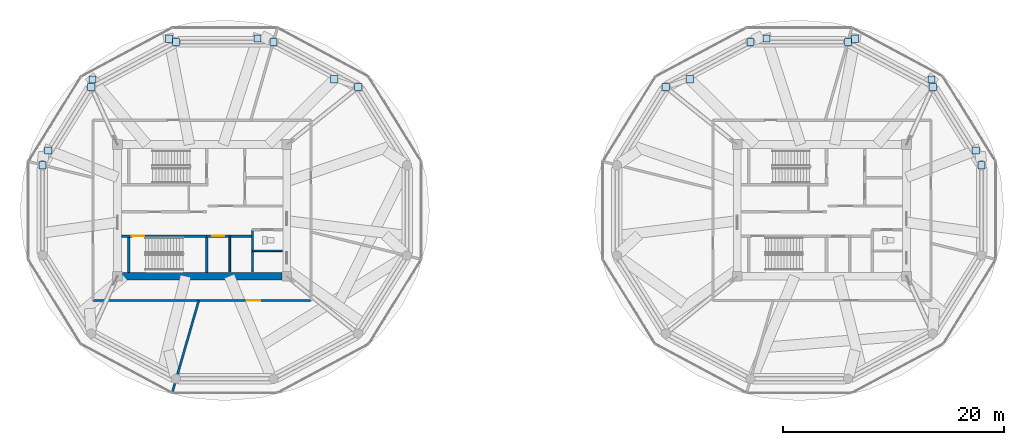
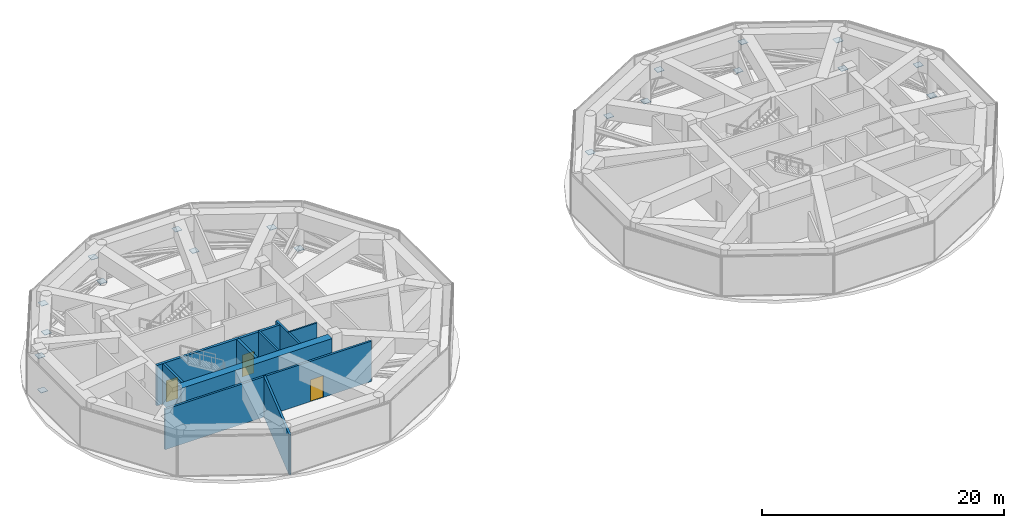
# One storey, part 16 of 23: 20 plates, 10 walls, 3 doors, 3 openings.
"""IFC4 building model written with IfcOpenShell, lengths in metres."""

import ifcopenshell
import ifcopenshell.guid

model = None  # the IFC model being written
_history = None  # IfcOwnerHistory: only IFC2X3 demands one
_inside = {}  # id of a spatial element -> (the spatial element, [elements in it])
_under = {}  # id of a project, library or spatial element -> (it, [spatial elements below it])
_declared = {}  # id of a project -> (the project, [libraries it declares])
_typed = {}  # id of a type object -> (the type object, [elements of that type])
_made_of = {}  # id of a material, layer set ... -> (it, [elements and type objects made of it])


def new_model(schema):
    """Start an empty IFC model of exactly this schema.

    Asked for "IFC4X3", IfcOpenShell would pick the latest addendum, in which some entities
    have other attributes; the version numbers below select the first issue.
    IFC2X3 requires an IfcOwnerHistory on every rooted entity: one is made here for all.
    """
    global model, _history
    if schema == "IFC4X3":
        model = ifcopenshell.file(schema_version=(4, 3, 0, 0))
    else:
        model = ifcopenshell.file(schema=schema)
    _inside.clear()
    _under.clear()
    _declared.clear()
    _typed.clear()
    _made_of.clear()
    _history = None
    if model.schema == "IFC2X3":
        org = make("IfcOrganization", Name="unknown")
        user = make(
            "IfcPersonAndOrganization",
            ThePerson=make("IfcPerson", FamilyName="unknown"),
            TheOrganization=org,
        )
        app = make(
            "IfcApplication",
            ApplicationDeveloper=org,
            Version="unknown",
            ApplicationFullName="unknown",
            ApplicationIdentifier="unknown",
        )
        _history = make(
            "IfcOwnerHistory",
            OwningUser=user,
            OwningApplication=app,
            ChangeAction="ADDED",
            CreationDate=0,
        )
    return model


def make(cls, **values):
    """One entity of the class cls with the attributes given. An attribute that is None is left unset."""
    return model.create_entity(
        cls, **{name: value for name, value in values.items() if value is not None}
    )


def rooted(cls, **values):
    """An entity with a GlobalId (a new one), such as an element, a storey or a relation."""
    return make(cls, GlobalId=ifcopenshell.guid.new(), OwnerHistory=_history, **values)


def si_unit(unit_type, name, prefix=None):
    """IfcSIUnit, for example si_unit("LENGTHUNIT", "METRE", prefix="MILLI")."""
    return make("IfcSIUnit", UnitType=unit_type, Prefix=prefix, Name=name)


def assignment(units):
    """IfcUnitAssignment: the units of a project."""
    return None if units is None else make("IfcUnitAssignment", Units=units)


def point(xyz):
    """IfcCartesianPoint."""
    return None if xyz is None else make("IfcCartesianPoint", Coordinates=xyz)


def direction(xyz):
    """IfcDirection."""
    return None if xyz is None else make("IfcDirection", DirectionRatios=xyz)


def frame(location, z_axis=None, x_axis=None):
    """IfcAxis2Placement3D, a coordinate frame: its origin and axes. An axis left out is left unset."""
    return make(
        "IfcAxis2Placement3D",
        Location=point(location),
        Axis=direction(z_axis),
        RefDirection=direction(x_axis),
    )


def frame_2d(location, x_axis=None):
    """IfcAxis2Placement2D, a coordinate frame in the plane: its origin and x axis."""
    return make(
        "IfcAxis2Placement2D", Location=point(location), RefDirection=direction(x_axis)
    )


def origin():
    """The frame at (0, 0, 0) with its axes left unset."""
    return frame((0.0, 0.0, 0.0))


def origin_2d():
    """The frame at (0, 0) in the plane with its x axis left unset."""
    return frame_2d((0.0, 0.0))


def place(relative_to, where):
    """IfcLocalPlacement: puts the frame where relative to a parent placement (None: the world)."""
    return make(
        "IfcLocalPlacement", PlacementRelTo=relative_to, RelativePlacement=where
    )


def context(
    kind, dimensions, precision=None, world=None, true_north=None, identifier=None
):
    """IfcGeometricRepresentationContext, for example the 3D "Model" context."""
    return make(
        "IfcGeometricRepresentationContext",
        ContextIdentifier=identifier,
        ContextType=kind,
        CoordinateSpaceDimension=dimensions,
        Precision=precision,
        WorldCoordinateSystem=world,
        TrueNorth=true_north,
    )


def subcontext(parent, identifier, kind, view, scale=None):
    """IfcGeometricRepresentationSubContext, for example "Body" below "Model"."""
    return make(
        "IfcGeometricRepresentationSubContext",
        ContextIdentifier=identifier,
        ContextType=kind,
        ParentContext=parent,
        TargetScale=scale,
        TargetView=view,
    )


def project(units=None, contexts=None):
    """IfcProject with its units and contexts."""
    return rooted(
        "IfcProject",
        Name="project",
        RepresentationContexts=contexts,
        UnitsInContext=assignment(units),
    )


def spatial(cls, under=None, at=None, **own):
    """A site, building, storey or space (cls), placed at a placement, below another one or the project."""
    s = rooted(cls, ObjectPlacement=at, **own)
    if under is not None:
        _under.setdefault(under.id(), (under, []))[1].append(s)
    return s


def profile(cls, at=None, kind="AREA", **sizes):
    """A parametric profile (cls). Its sizes go by their IFC names, for example OverallWidth=200.0."""
    return make(cls, ProfileType=kind, Position=at, **sizes)


def rectangle(**sizes):
    """IfcRectangleProfileDef."""
    return profile("IfcRectangleProfileDef", **sizes)


def extrude(swept, where, along, depth):
    """IfcExtrudedAreaSolid: the profile swept, set in the frame where, extruded along a direction by depth."""
    return make(
        "IfcExtrudedAreaSolid",
        SweptArea=swept,
        Position=where,
        ExtrudedDirection=direction(along),
        Depth=depth,
    )


def shape(context_of_items, identifier, shape_type, items):
    """IfcShapeRepresentation: the items that make up one representation, for example the "Body"."""
    return make(
        "IfcShapeRepresentation",
        ContextOfItems=context_of_items,
        RepresentationIdentifier=identifier,
        RepresentationType=shape_type,
        Items=items,
    )


def source(mapping_origin, context_of_items, identifier, shape_type, items):
    """IfcRepresentationMap: a shape defined once, which mapped items show again and again."""
    return make(
        "IfcRepresentationMap",
        MappingOrigin=mapping_origin,
        MappedRepresentation=shape(context_of_items, identifier, shape_type, items),
    )


def transform(
    local_origin,
    x_axis=None,
    y_axis=None,
    z_axis=None,
    scale=None,
    scale2=None,
    scale3=None,
    uniform=True,
):
    """IfcCartesianTransformationOperator3D, or its non-uniform kind. x_axis, y_axis, z_axis: its Axis1, 2, 3."""
    if uniform:
        return make(
            "IfcCartesianTransformationOperator3D",
            Axis1=direction(x_axis),
            Axis2=direction(y_axis),
            LocalOrigin=point(local_origin),
            Scale=scale,
            Axis3=direction(z_axis),
        )
    return make(
        "IfcCartesianTransformationOperator3DnonUniform",
        Axis1=direction(x_axis),
        Axis2=direction(y_axis),
        LocalOrigin=point(local_origin),
        Scale=scale,
        Axis3=direction(z_axis),
        Scale2=scale2,
        Scale3=scale3,
    )


def mapped(mapping_source, mapping_target):
    """IfcMappedItem: shows the shape of a source again, moved by a transform."""
    return make(
        "IfcMappedItem", MappingSource=mapping_source, MappingTarget=mapping_target
    )


def material(Name=None, Category=None):
    """IfcMaterial."""
    return make("IfcMaterial", Name=Name, Category=Category)


def layer(
    of_material, thickness, ventilated=None, Name=None, Category=None, Priority=None
):
    """IfcMaterialLayer: one layer of a wall or slab, of a material (None: an air gap)."""
    return make(
        "IfcMaterialLayer",
        Material=of_material,
        LayerThickness=thickness,
        IsVentilated=ventilated,
        Name=Name,
        Category=Category,
        Priority=Priority,
    )


def layer_set(layers, Name=None):
    """IfcMaterialLayerSet."""
    return make("IfcMaterialLayerSet", MaterialLayers=layers, LayerSetName=Name)


def made_of(thing, what):
    """Note that an element or type object is made of a material, layer set ...; save() writes the relation."""
    if what is not None:
        _made_of.setdefault(what.id(), (what, []))[1].append(thing)
    return thing


def type_object(cls, material=None, **own):
    """A type object (cls), such as IfcWallType, which elements share."""
    return made_of(rooted(cls, **own), material)


def type_shapes(of_type, sources):
    """Give a type object the sources (RepresentationMaps) that its elements show as mapped items."""
    of_type.RepresentationMaps = sources


def element(
    cls,
    number,
    at=None,
    inside=None,
    cuts=None,
    type_object=None,
    material=None,
    context=None,
    identifier="Body",
    shape_type=None,
    held_by="IfcProductDefinitionShape",
    body=None,
    shapes=None,
    **own,
):
    """One element of the class cls, such as IfcWall. Its Tag is "e" and its number.

    at: its placement. inside: the storey or other place that contains it. cuts: it is an
    opening in that element (IfcRelVoidsElement). A single representation is given by context,
    identifier, shape_type and body (its items); several are given by shapes. held_by: the class
    of the entity that holds the representations. save() writes the other relations.
    """
    e = rooted(cls, Tag="e%d" % number, ObjectPlacement=at, **own)
    if body is not None:
        shapes = [shape(context, identifier, shape_type, body)]
    if shapes is not None:
        e.Representation = make(held_by, Representations=shapes)
    if inside is not None:
        _inside.setdefault(inside.id(), (inside, []))[1].append(e)
    if cuts is not None:
        rooted(
            "IfcRelVoidsElement", RelatingBuildingElement=cuts, RelatedOpeningElement=e
        )
    if type_object is not None:
        _typed.setdefault(type_object.id(), (type_object, []))[1].append(e)
    return made_of(e, material)


def fill(opening, filler):
    """IfcRelFillsElement: the door or window that sits in an opening."""
    return rooted(
        "IfcRelFillsElement",
        RelatingOpeningElement=opening,
        RelatedBuildingElement=filler,
    )


def aggregate(whole, parts):
    """IfcRelAggregates: a whole, such as a stair, and the parts it consists of."""
    return rooted("IfcRelAggregates", RelatingObject=whole, RelatedObjects=parts)


def save(model, path):
    """Write the relations noted so far, then the file.

    IfcRelAggregates (storeys below a building ...), IfcRelContainedInSpatialStructure (elements
    in a storey), IfcRelDefinesByType, IfcRelAssociatesMaterial and IfcRelDeclares: one each for
    every whole, place, type object, material and project.
    """
    for whole, parts in _under.values():
        aggregate(whole, parts)
    for where, things in _inside.values():
        rooted(
            "IfcRelContainedInSpatialStructure",
            RelatedElements=things,
            RelatingStructure=where,
        )
    for kind, things in _typed.values():
        rooted("IfcRelDefinesByType", RelatedObjects=things, RelatingType=kind)
    for what, things in _made_of.values():
        rooted("IfcRelAssociatesMaterial", RelatedObjects=things, RelatingMaterial=what)
    for by, libraries in _declared.values():
        rooted("IfcRelDeclares", RelatingContext=by, RelatedDefinitions=libraries)
    model.write(path)


model = new_model("IFC4")

# Units and contexts
model_context = context("Model", 3, precision=1e-05, world=origin(), true_north=direction((0.0, 1.0)))
body_context = subcontext(model_context, "Body", "Model", "MODEL_VIEW")
ifc_project = project(units=[si_unit("LENGTHUNIT", "METRE"), si_unit("AREAUNIT", "SQUARE_METRE"), si_unit("VOLUMEUNIT", "CUBIC_METRE"), si_unit("PLANEANGLEUNIT", "RADIAN"), si_unit("MASSUNIT", "GRAM", prefix="KILO")], contexts=[model_context])

# Site, building, storey
site_placement = place(None, origin())
site = spatial("IfcSite", under=ifc_project, at=site_placement, CompositionType="ELEMENT")
building_placement = place(site_placement, origin())
building = spatial("IfcBuilding", under=site, at=building_placement, Name="Norrkilde Senior Care Towers", CompositionType="ELEMENT")
storey_placement = place(building_placement, frame((0.0, 0.0, 129.800048828125)))
storey = spatial("IfcBuildingStorey", under=building, at=storey_placement, Name="L40", CompositionType="ELEMENT", Elevation=129.800048828125)

# Plates
ifc_material_1 = material(Name="Steel S355", Category="steel")
ifc_layer_1 = layer(ifc_material_1, 0.034912109375)
ifc_layer_set_1 = layer_set([ifc_layer_1], Name="Steel S355")
plate_type = type_object("IfcPlateType", Name="Truss Node Gusset Plate 35", PredefinedType="USERDEFINED", material=ifc_layer_set_1)
shared_shape_1 = source(origin(), body_context, "Body", "SweptSolid", [
    extrude(rectangle(XDim=0.64990234375, YDim=0.64990234375, at=origin_2d()), origin(), (0.0, 0.0, 1.0), 0.034912109375),
])
type_shapes(plate_type, [shared_shape_1])
for number, where, z_axis, x_axis, name in (
    (1, (-13.893798828125, 11.136962890625, 0.13232421875), (0.0, 0.0, 1.0), (1.0, 0.0, 0.0), "L40 Drum W Zone Strut 02 Lower Gusset Plate"),
    (2, (-16.064453125, 11.83984375, 2.6123046875), (0.0, 0.0, 1.0), (1.0, 0.0, 0.0), "L40 Drum W Zone Strut 02 Upper Gusset Plate"),
    (3, (-21.537109375, 15.21337890625, 0.13232421875), (0.0, 0.0, 1.0), (1.0, 0.0, 0.0), "L40 Drum W Zone Strut 03 Lower Gusset Plate"),
    (4, (-23.00146484375, 15.5263671875, 2.6123046875), (0.0, 0.0, 1.0), (1.0, 0.0, 0.0), "L40 Drum W Zone Strut 03 Upper Gusset Plate"),
    (5, (-30.36279296875, 15.21337890625, 0.13232421875), (0.0, 0.0, 1.0), (1.0, 0.0, 0.0), "L40 Drum W Zone Strut 04 Lower Gusset Plate"),
    (6, (-30.99755859375, 15.513671875, 2.6123046875), (0.0, 0.0, 1.0), (1.0, 0.0, 0.0), "L40 Drum W Zone Strut 04 Upper Gusset Plate"),
    (7, (-38.006103515625, 11.136962890625, 0.13232421875), (0.0, 0.0, 1.0), (1.0, 0.0, 0.0), "L40 Drum W Zone Strut 05 Lower Gusset Plate"),
    (8, (-37.91259765625, 11.812744140625, 2.6123046875), (0.0, 0.0, 1.0), (1.0, 0.0, 0.0), "L40 Drum W Zone Strut 05 Upper Gusset Plate"),
    (9, (-42.4189453125, 4.076416015625, 0.13232421875), (0.0, 0.0, 1.0), (1.0, 0.0, 0.0), "L40 Drum W Zone Strut 06 Lower Gusset Plate"),
    (10, (-41.8935546875, 5.41455078125, 2.6123046875), (0.0, 0.0, 1.0), (1.0, 0.0, 0.0), "L40 Drum W Zone Strut 06 Upper Gusset Plate"),
    (11, (42.4189453125, 4.076416015625, 0.13232421875), (0.0, 0.0, 1.0), (1.0, 0.0, 0.0), "L40 Drum E Zone Strut 01 Lower Gusset Plate"),
    (12, (41.8935546875, 5.41455078125, 2.6123046875), (0.0, 0.0, 1.0), (1.0, 0.0, 0.0), "L40 Drum E Zone Strut 01 Upper Gusset Plate"),
    (13, (38.006103515625, 11.136962890625, 0.13232421875), (0.0, 0.0, 1.0), (1.0, 0.0, 0.0), "L40 Drum E Zone Strut 02 Lower Gusset Plate"),
    (14, (37.91259765625, 11.812744140625, 2.6123046875), (0.0, 0.0, 1.0), (1.0, 0.0, 0.0), "L40 Drum E Zone Strut 02 Upper Gusset Plate"),
    (15, (30.36279296875, 15.21337890625, 0.13232421875), (0.0, 0.0, 1.0), (1.0, 0.0, 0.0), "L40 Drum E Zone Strut 03 Lower Gusset Plate"),
    (16, (30.99755859375, 15.513671875, 2.6123046875), (0.0, 0.0, 1.0), (1.0, 0.0, 0.0), "L40 Drum E Zone Strut 03 Upper Gusset Plate"),
    (17, (21.537109375, 15.21337890625, 0.13232421875), (0.0, 0.0, 1.0), (1.0, 0.0, 0.0), "L40 Drum E Zone Strut 04 Lower Gusset Plate"),
    (18, (23.00146484375, 15.5263671875, 2.6123046875), (0.0, 0.0, 1.0), (1.0, 0.0, 0.0), "L40 Drum E Zone Strut 04 Upper Gusset Plate"),
    (19, (13.893798828125, 11.136962890625, 0.13232421875), (0.0, 0.0, 1.0), (1.0, 0.0, 0.0), "L40 Drum E Zone Strut 05 Lower Gusset Plate"),
    (20, (16.064453125, 11.83984375, 2.6123046875), (0.0, 0.0, 1.0), (1.0, 0.0, 0.0), "L40 Drum E Zone Strut 05 Upper Gusset Plate"),
):
    element("IfcPlate", number, at=place(storey_placement, frame(where, z_axis=z_axis, x_axis=x_axis)), inside=storey, type_object=plate_type, Name=name, ObjectType="GUSSET_PLATE", PredefinedType="USERDEFINED", context=body_context, shape_type="MappedRepresentation", body=[
        mapped(shared_shape_1, transform((0.0, 0.0, 0.0), x_axis=(1.0, 0.0, 0.0), y_axis=(0.0, 1.0, 0.0), z_axis=(0.0, 0.0, 1.0), scale=1.0)),
    ])

# Walls
ifc_material_2 = material(Name="Concrete C60/75", Category="concrete")
ifc_layer_2 = layer(ifc_material_2, 0.719970703125)
ifc_layer_set_2 = layer_set([ifc_layer_2], Name="Concrete C60/75")
wall_type_1 = type_object("IfcWallType", Name="Core Shear Wall Z2 720", PredefinedType="SHEAR", material=ifc_layer_set_2)
shared_shape_2 = source(origin(), body_context, "Body", "SweptSolid", [
    extrude(rectangle(XDim=14.39990234375, YDim=0.719970703125, at=frame_2d((7.199951171875, 0.0))), origin(), (0.0, 0.0, 1.0), 4.079833984375),
])
type_shapes(wall_type_1, [shared_shape_2])
wall_1_placement = place(storey_placement, frame((-20.800048828125, -5.949951171875, 0.0), z_axis=(0.0, 0.0, 1.0), x_axis=(-1.0, 0.0, 0.0)))
element("IfcWall", 21, at=wall_1_placement, inside=storey, type_object=wall_type_1, Name="L40 Core W South Shear Wall", PredefinedType="SHEAR", context=body_context, shape_type="MappedRepresentation", body=[
    mapped(shared_shape_2, transform((0.0, 0.0, 0.0), x_axis=(1.0, 0.0, 0.0), y_axis=(0.0, 1.0, 0.0), z_axis=(0.0, 0.0, 1.0), scale=1.0)),
])
ifc_material_3 = material(Name="Concrete C45/55", Category="concrete")
ifc_layer_3 = layer(ifc_material_3, 0.199951171875)
ifc_layer_set_3 = layer_set([ifc_layer_3], Name="Concrete C45/55")
wall_type_2 = type_object("IfcWallType", Name="Shaft Division and Plant Partition 200", PredefinedType="PARTITIONING", material=ifc_layer_set_3)
shared_shape_3 = source(origin(), body_context, "Body", "SweptSolid", [
    extrude(rectangle(XDim=3.800048828125, YDim=0.199951171875, at=frame_2d((1.89990234375, 0.0))), origin(), (0.0, 0.0, 1.0), 4.06494140625),
])
wall_2_placement = place(storey_placement, frame((-23.449951171875, -5.550048828125, 0.0), z_axis=(0.0, 0.0, 1.0), x_axis=(0.0, 1.0, 0.0)))
element("IfcWall", 22, at=wall_2_placement, inside=storey, type_object=wall_type_2, Name="WL-INT-L40-W-PKBE", PredefinedType="PARTITIONING", context=body_context, shape_type="MappedRepresentation", body=[
    mapped(shared_shape_3, transform((0.0, 0.0, 0.0), x_axis=(1.0, 0.0, 0.0), y_axis=(0.0, 1.0, 0.0), z_axis=(0.0, 0.0, 1.0), scale=1.0)),
])

# Wall, opening, door
ifc_layer_4 = layer(ifc_material_3, 0.239990234375)
ifc_layer_set_4 = layer_set([ifc_layer_4], Name="Concrete C45/55")
wall_type_3 = type_object("IfcWallType", Name="Lift and Plant Rated Enclosure Partition 240", PredefinedType="PARTITIONING", material=ifc_layer_set_4)
shared_shape_4 = source(origin(), body_context, "Body", "SweptSolid", [
    extrude(rectangle(XDim=4.130126953125, YDim=0.239990234375, at=frame_2d((2.06494140625, 0.0))), origin(), (0.0, 0.0, 1.0), 4.06494140625),
])
type_shapes(wall_type_3, [shared_shape_4])
wall_3_placement = place(storey_placement, frame((-27.580078125, -2.330078125, 0.0), z_axis=(0.0, 0.0, 1.0), x_axis=(1.0, 0.0, 0.0)))
wall_3 = element("IfcWall", 23, at=wall_3_placement, inside=storey, type_object=wall_type_3, Name="WL-INT-L40-W-PKBN", PredefinedType="PARTITIONING", context=body_context, shape_type="MappedRepresentation", body=[
    mapped(shared_shape_4, transform((0.0, 0.0, 0.0), x_axis=(1.0, 0.0, 0.0), y_axis=(0.0, 1.0, 0.0), z_axis=(0.0, 0.0, 1.0), scale=1.0)),
])
opening_1_placement = place(wall_3_placement, frame((0.5, 0.0, 0.0)))
opening_1 = element("IfcOpeningElement", 24, at=opening_1_placement, cuts=wall_3, Name="Opening LD-01", PredefinedType="OPENING", context=body_context, shape_type="SweptSolid", body=[
    extrude(rectangle(XDim=1.10009765625, YDim=2.199951171875, at=frame_2d((0.550048828125, 1.10009765625))), frame((0.0, 0.1298828125, 0.0), z_axis=(0.0, -1.0, 0.0), x_axis=(1.0, 0.0, 0.0)), (0.0, 0.0, 1.0), 0.260009765625),
])
ifc_material_4 = material(Name="Stainless Steel", Category="steel")
door_type_1 = type_object("IfcDoorType", Name="Lift Landing Sliding Door 1100x2200", OperationType="NOTDEFINED", PredefinedType="DOOR", material=ifc_material_4)
shared_shape_5 = source(origin(), body_context, "Body", "SweptSolid", [
    extrude(rectangle(XDim=1.10009765625, YDim=2.199951171875, at=frame_2d((0.550048828125, 1.10009765625))), frame((0.0, 0.02490234375, 0.0), z_axis=(0.0, -1.0, 0.0), x_axis=(1.0, 0.0, 0.0)), (0.0, 0.0, 1.0), 0.050048828125),
])
type_shapes(door_type_1, [shared_shape_5])
door_1_placement = place(opening_1_placement, frame((1.10009765625, 0.0, 0.0), z_axis=(0.0, 0.0, 1.0), x_axis=(-1.0, 0.0, 0.0)))
door_1 = element("IfcDoor", 25, at=door_1_placement, inside=storey, type_object=door_type_1, Name="L40 Passenger Lift W3 Landing Door", OperationType="SLIDING_TO_LEFT", OverallHeight=2.199951171875, OverallWidth=1.10009765625, PredefinedType="DOOR", context=body_context, shape_type="MappedRepresentation", body=[
    mapped(shared_shape_5, transform((0.0, 0.0, 0.0), x_axis=(1.0, 0.0, 0.0), y_axis=(0.0, 1.0, 0.0), z_axis=(0.0, 0.0, 1.0), scale=1.0)),
])
fill(opening_1, door_1)

# Walls
ifc_layer_5 = layer(ifc_material_3, 0.179931640625)
ifc_layer_set_5 = layer_set([ifc_layer_5], Name="Concrete C45/55")
wall_type_4 = type_object("IfcWallType", Name="Hoistway Division Rated Partition 180", PredefinedType="PARTITIONING", material=ifc_layer_set_5)
shared_shape_6 = source(origin(), body_context, "Body", "SweptSolid", [
    extrude(rectangle(XDim=3.219970703125, YDim=0.179931640625, at=frame_2d((1.60986328125, 0.0))), origin(), (0.0, 0.0, 1.0), 4.06494140625),
])
type_shapes(wall_type_4, [shared_shape_6])
wall_4_placement = place(storey_placement, frame((-25.5, -5.550048828125, 0.0), z_axis=(0.0, 0.0, 1.0), x_axis=(0.0, 1.0, 0.0)))
element("IfcWall", 26, at=wall_4_placement, inside=storey, type_object=wall_type_4, Name="WL-INT-L40-W-PL34", PredefinedType="PARTITIONING", context=body_context, shape_type="MappedRepresentation", body=[
    mapped(shared_shape_6, transform((0.0, 0.0, 0.0), x_axis=(1.0, 0.0, 0.0), y_axis=(0.0, 1.0, 0.0), z_axis=(0.0, 0.0, 1.0), scale=1.0)),
])
ifc_material_5 = material(Name="Gypsum Acoustic Board")
ifc_layer_6 = layer(ifc_material_5, 0.139892578125)
ifc_layer_set_6 = layer_set([ifc_layer_6], Name="Gypsum Acoustic Board")
wall_type_5 = type_object("IfcWallType", Name="En-suite Wet Room Wall 140", PredefinedType="PARTITIONING", material=ifc_layer_set_6)
shared_shape_7 = source(origin(), body_context, "Body", "SweptSolid", [
    extrude(rectangle(XDim=2.699951171875, YDim=0.139892578125, at=frame_2d((1.35009765625, 0.0))), origin(), (0.0, 0.0, 1.0), 4.06494140625),
])
type_shapes(wall_type_5, [shared_shape_7])
wall_5_placement = place(storey_placement, frame((-23.449951171875, -3.64990234375, 0.0), z_axis=(0.0, 0.0, 1.0), x_axis=(1.0, 0.0, 0.0)))
element("IfcWall", 27, at=wall_5_placement, inside=storey, type_object=wall_type_5, Name="WL-INT-L40-W-CS2H", PredefinedType="PARTITIONING", context=body_context, shape_type="MappedRepresentation", body=[
    mapped(shared_shape_7, transform((0.0, 0.0, 0.0), x_axis=(1.0, 0.0, 0.0), y_axis=(0.0, 1.0, 0.0), z_axis=(0.0, 0.0, 1.0), scale=1.0)),
])

# Wall, opening, door
shared_shape_8 = source(origin(), body_context, "Body", "SweptSolid", [
    extrude(rectangle(XDim=19.7001953125, YDim=0.199951171875, at=frame_2d((9.85009765625, 0.0))), origin(), (0.0, 0.0, 1.0), 4.06494140625),
])
wall_6_placement = place(storey_placement, frame((-18.14990234375, -8.14990234375, 0.0), z_axis=(0.0, 0.0, 1.0), x_axis=(-1.0, 0.0, 0.0)))
wall_6 = element("IfcWall", 28, at=wall_6_placement, inside=storey, type_object=wall_type_2, Name="WL-INT-L40-W-PCR-S", PredefinedType="PARTITIONING", context=body_context, shape_type="MappedRepresentation", body=[
    mapped(shared_shape_8, transform((0.0, 0.0, 0.0), x_axis=(1.0, 0.0, 0.0), y_axis=(0.0, 1.0, 0.0), z_axis=(0.0, 0.0, 1.0), scale=1.0)),
])
opening_2_placement = place(wall_6_placement, frame((4.585693359375, 0.0, 0.0)))
opening_2 = element("IfcOpeningElement", 29, at=opening_2_placement, cuts=wall_6, Name="Opening D-05", PredefinedType="OPENING", context=body_context, shape_type="SweptSolid", body=[
    extrude(rectangle(XDim=1.25, YDim=2.199951171875, at=frame_2d((0.625, 1.10009765625))), frame((0.0, 0.10986328125, 0.0), z_axis=(0.0, -1.0, 0.0), x_axis=(1.0, 0.0, 0.0)), (0.0, 0.0, 1.0), 0.219970703125),
])
ifc_material_6 = material(Name="Nordic Ash Timber", Category="wood")
door_type_2 = type_object("IfcDoorType", Name="Care Bedroom Bariatric Door 1250x2200", OperationType="NOTDEFINED", PredefinedType="DOOR", material=ifc_material_6)
shared_shape_9 = source(origin(), body_context, "Body", "SweptSolid", [
    extrude(rectangle(XDim=1.25, YDim=2.199951171875, at=frame_2d((0.625, 1.10009765625))), frame((0.0, 0.02490234375, 0.0), z_axis=(0.0, -1.0, 0.0), x_axis=(1.0, 0.0, 0.0)), (0.0, 0.0, 1.0), 0.050048828125),
])
type_shapes(door_type_2, [shared_shape_9])
door_2_placement = place(opening_2_placement, frame((1.25, 0.0, 0.0), z_axis=(0.0, 0.0, 1.0), x_axis=(-1.0, 0.0, 0.0)))
door_2 = element("IfcDoor", 30, at=door_2_placement, inside=storey, type_object=door_type_2, Name="L40 Protected Emergency Refuge Area W Door", OperationType="SINGLE_SWING_LEFT", OverallHeight=2.199951171875, OverallWidth=1.25, PredefinedType="DOOR", context=body_context, shape_type="MappedRepresentation", body=[
    mapped(shared_shape_9, transform((0.0, 0.0, 0.0), x_axis=(1.0, 0.0, 0.0), y_axis=(0.0, 1.0, 0.0), z_axis=(0.0, 0.0, 1.0), scale=1.0)),
])
fill(opening_2, door_2)

ifc_layer_7 = layer(ifc_material_3, 0.239990234375)
ifc_layer_set_7 = layer_set([ifc_layer_7], Name="Concrete C45/55")
wall_type_6 = type_object("IfcWallType", Name="Shaft and Stair Enclosure Wall 240", PredefinedType="PARTITIONING", material=ifc_layer_set_7)
shared_shape_10 = source(origin(), body_context, "Body", "SweptSolid", [
    extrude(rectangle(XDim=7.830078125, YDim=0.239990234375, at=frame_2d((3.9150390625, 0.0))), origin(), (0.0, 0.0, 1.0), 4.079833984375),
])
wall_7_placement = place(storey_placement, frame((-35.2900390625, -2.330078125, 0.0), z_axis=(0.0, 0.0, 1.0), x_axis=(1.0, 0.0, 0.0)))
wall_7 = element("IfcWall", 31, at=wall_7_placement, inside=storey, type_object=wall_type_6, Name="WL-INT-L40-W-ST2N", PredefinedType="PARTITIONING", context=body_context, shape_type="MappedRepresentation", body=[
    mapped(shared_shape_10, transform((0.0, 0.0, 0.0), x_axis=(1.0, 0.0, 0.0), y_axis=(0.0, 1.0, 0.0), z_axis=(0.0, 0.0, 1.0), scale=1.0)),
])
opening_3_placement = place(wall_7_placement, frame((0.949951171875, 0.0, 0.0)))
opening_3 = element("IfcOpeningElement", 32, at=opening_3_placement, cuts=wall_7, Name="Opening D-03", PredefinedType="OPENING", context=body_context, shape_type="SweptSolid", body=[
    extrude(rectangle(XDim=1.10009765625, YDim=2.14990234375, at=frame_2d((0.550048828125, 1.074951171875))), frame((0.0, 0.1298828125, 0.0), z_axis=(0.0, -1.0, 0.0), x_axis=(1.0, 0.0, 0.0)), (0.0, 0.0, 1.0), 0.260009765625),
])
ifc_material_7 = material(Name="Galvanised Painted Steel", Category="steel")
door_type_3 = type_object("IfcDoorType", Name="Stairwell Protected Fire Door 1100x2150", OperationType="NOTDEFINED", PredefinedType="DOOR", material=ifc_material_7)
shared_shape_11 = source(origin(), body_context, "Body", "SweptSolid", [
    extrude(rectangle(XDim=1.10009765625, YDim=2.14990234375, at=frame_2d((0.550048828125, 1.074951171875))), frame((0.0, 0.02490234375, 0.0), z_axis=(0.0, -1.0, 0.0), x_axis=(1.0, 0.0, 0.0)), (0.0, 0.0, 1.0), 0.050048828125),
])
type_shapes(door_type_3, [shared_shape_11])
door_3_placement = place(opening_3_placement, frame((1.10009765625, 0.0, 0.0), z_axis=(0.0, 0.0, 1.0), x_axis=(-1.0, 0.0, 0.0)))
door_3 = element("IfcDoor", 33, at=door_3_placement, inside=storey, type_object=door_type_3, Name="L40 Stair W2 Fire Door", OperationType="SINGLE_SWING_RIGHT", OverallHeight=2.14990234375, OverallWidth=1.10009765625, PredefinedType="DOOR", context=body_context, shape_type="MappedRepresentation", body=[
    mapped(shared_shape_11, transform((0.0, 0.0, 0.0), x_axis=(1.0, 0.0, 0.0), y_axis=(0.0, 1.0, 0.0), z_axis=(0.0, 0.0, 1.0), scale=1.0)),
])
fill(opening_3, door_3)

# Walls
shared_shape_12 = source(origin(), body_context, "Body", "SweptSolid", [
    extrude(rectangle(XDim=3.14013671875, YDim=0.239990234375, at=frame_2d((1.570068359375, 0.0))), origin(), (0.0, 0.0, 1.0), 4.079833984375),
])
type_shapes(wall_type_6, [shared_shape_10, shared_shape_12])
for number, where, z_axis, x_axis, name in (
    (34, (-34.6201171875, -5.590087890625, 0.0), (0.0, 0.0, 1.0), (0.0, 1.0, 0.0), "WL-INT-L40-W-ST2W"),
    (35, (-27.580078125, -5.590087890625, 0.0), (0.0, 0.0, 1.0), (0.0, 1.0, 0.0), "WL-INT-L40-W-ST2E"),
):
    element("IfcWall", number, at=place(storey_placement, frame(where, z_axis=z_axis, x_axis=x_axis)), inside=storey, type_object=wall_type_6, Name=name, PredefinedType="PARTITIONING", context=body_context, shape_type="MappedRepresentation", body=[
        mapped(shared_shape_12, transform((0.0, 0.0, 0.0), x_axis=(1.0, 0.0, 0.0), y_axis=(0.0, 1.0, 0.0), z_axis=(0.0, 0.0, 1.0), scale=1.0)),
    ])
shared_shape_13 = source(origin(), body_context, "Body", "SweptSolid", [
    extrude(rectangle(XDim=8.708251953125, YDim=0.199951171875, at=frame_2d((4.35400390625, 0.0))), origin(), (0.0, 0.0, 1.0), 4.06494140625),
])
type_shapes(wall_type_2, [shared_shape_3, shared_shape_8, shared_shape_13])
wall_8_placement = place(storey_placement, frame((-28.2998046875, -8.14990234375, 0.0), z_axis=(0.0, 0.0, 1.0), x_axis=(-0.277019790717, -0.960864212858, 0.0)))
element("IfcWall", 36, at=wall_8_placement, inside=storey, type_object=wall_type_2, Name="WL-INT-L40-W-PRAD-0-0", PredefinedType="PARTITIONING", context=body_context, shape_type="MappedRepresentation", body=[
    mapped(shared_shape_13, transform((0.0, 0.0, 0.0), x_axis=(1.0, 0.0, 0.0), y_axis=(0.0, 1.0, 0.0), z_axis=(0.0, 0.0, 1.0), scale=1.0)),
])

save(model, "model.ifc")
